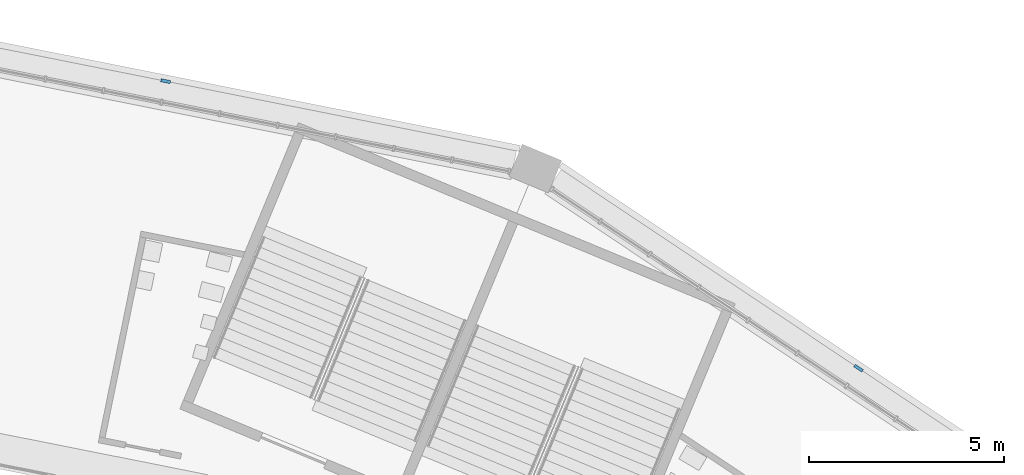
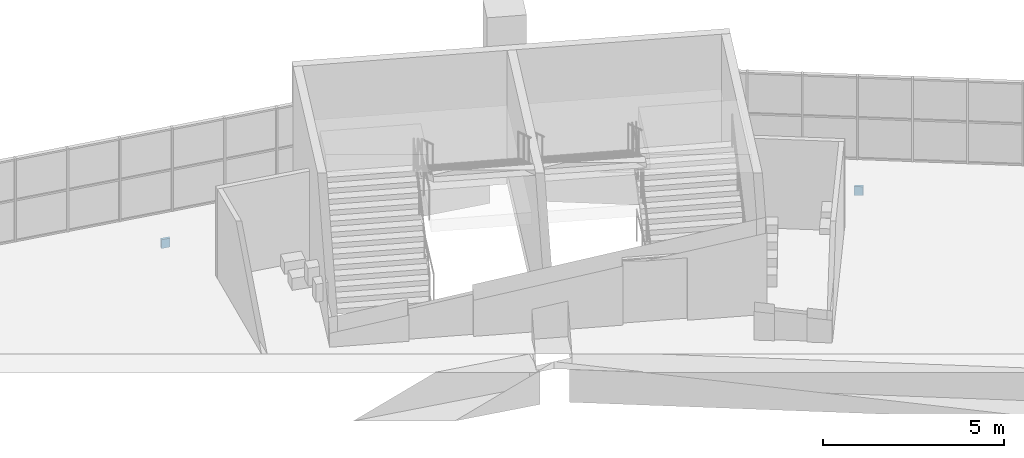
# One storey, part 83 of 177: 2 discrete accessories.
"""IFC4 building model written with IfcOpenShell, lengths in metres."""

from ifc_helpers import new_model, si_unit, direction, frame, origin, origin_2d, place, context, subcontext, project, spatial, rectangle, extrude, material, layer, layer_set, type_object, element, save


model = new_model("IFC4")

# Units and contexts
model_context = context("Model", 3, precision=1e-05, world=origin(), true_north=direction((0.0, 1.0)))
body_context = subcontext(model_context, "Body", "Model", "MODEL_VIEW")
ifc_project = project(units=[si_unit("LENGTHUNIT", "METRE"), si_unit("AREAUNIT", "SQUARE_METRE"), si_unit("VOLUMEUNIT", "CUBIC_METRE"), si_unit("PLANEANGLEUNIT", "RADIAN"), si_unit("MASSUNIT", "GRAM", prefix="KILO")], contexts=[model_context])

# Site, building, storey
site_placement = place(None, origin())
site = spatial("IfcSite", under=ifc_project, at=site_placement, CompositionType="ELEMENT")
building_placement = place(site_placement, origin())
building = spatial("IfcBuilding", under=site, at=building_placement, Name="Ogive Plaza Stadium", CompositionType="ELEMENT")
storey_placement = place(building_placement, frame((0.0, 0.0, 18.0)))
storey = spatial("IfcBuildingStorey", under=building, at=storey_placement, Name="L04", CompositionType="ELEMENT", Elevation=18.0)

# Discrete accessories
ifc_material = material(Name="Steel ASTM A572 Grade 50", Category="steel")
ifc_layer = layer(ifc_material, 0.080078125)
ifc_layer_set = layer_set([ifc_layer], Name="Steel ASTM A572 Grade 50")
discrete_accessory_type = type_object("IfcDiscreteAccessoryType", Name="Spandrel cladding bracket 250x300", PredefinedType="BRACKET", material=ifc_layer_set)
for number, where, z_axis, x_axis, name in (
    (1, (43.635498046875, 100.940185546875, -1.60986328125), (0.0, 0.0, 1.0), (0.980785280413, -0.195090321965, 0.0), "SPANDREL BRACKET B37 L04"),
    (2, (61.439208984375, 93.565673828125, -1.60986328125), (0.0, 0.0, 1.0), (0.831469612312, -0.555570233005, 0.0), "SPANDREL BRACKET B38 L04"),
):
    element("IfcDiscreteAccessory", number, at=place(storey_placement, frame(where, z_axis=z_axis, x_axis=x_axis)), inside=storey, type_object=discrete_accessory_type, Name=name, PredefinedType="BRACKET", context=body_context, shape_type="SweptSolid", body=[
        extrude(rectangle(XDim=0.25, YDim=0.080078125, at=origin_2d()), origin(), (0.0, 0.0, 1.0), 0.300048828125),
    ])

save(model, "model.ifc")
